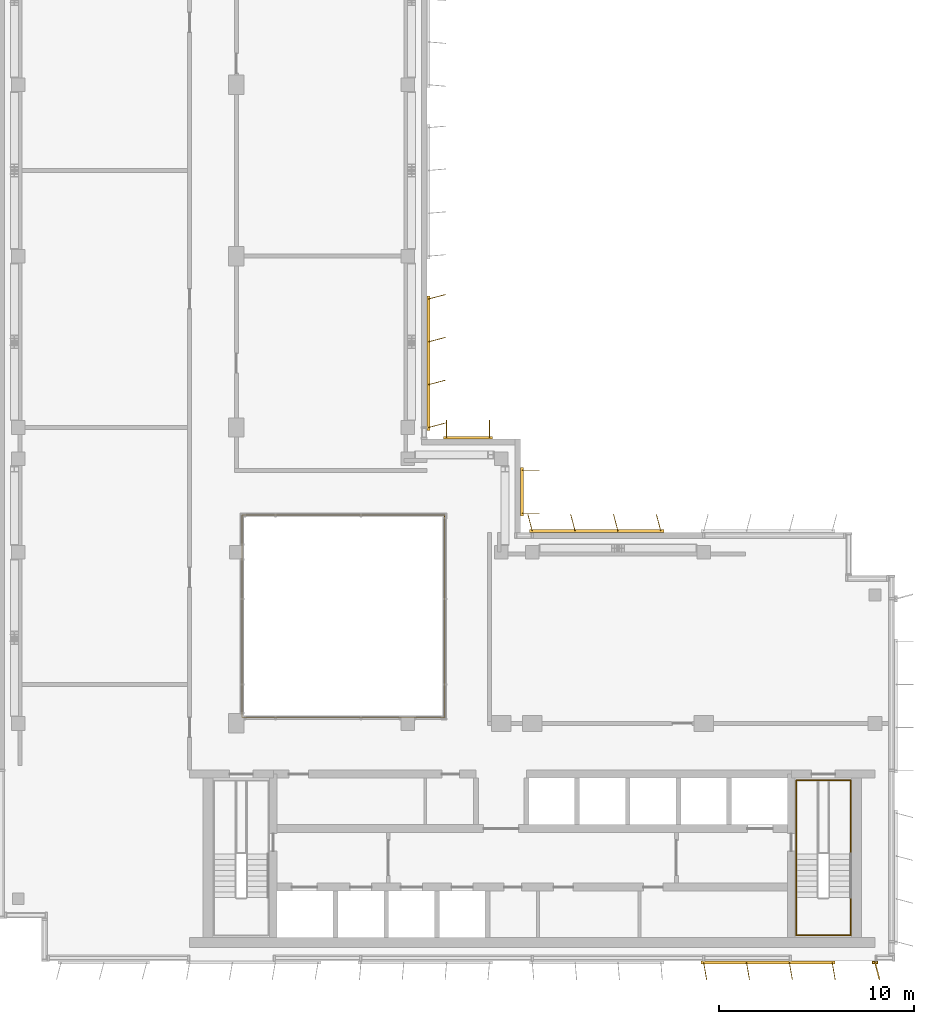
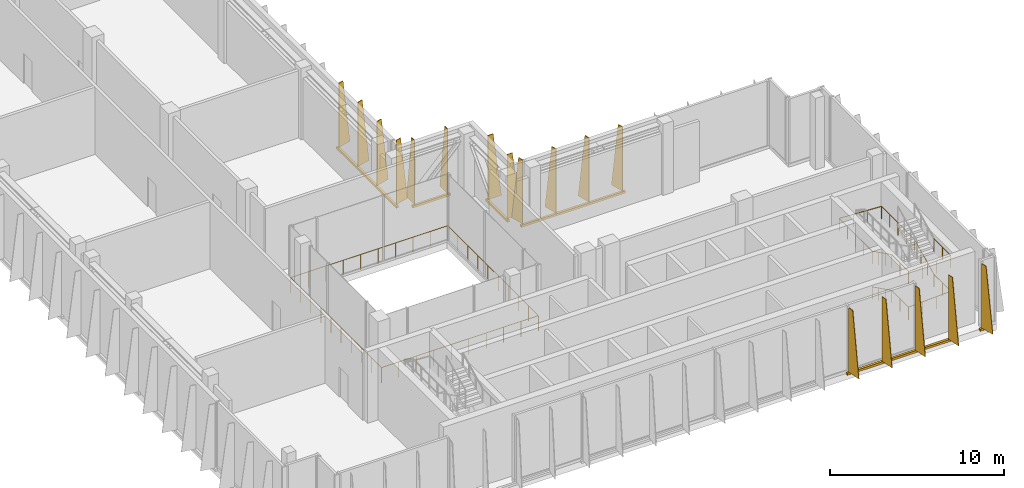
# One storey, part 12 of 14: 6 shading devices, 3 railings.
"""IFC4 building model written with IfcOpenShell, lengths in metres."""

from ifc_helpers import new_model, si_unit, direction, frame, origin, origin_2d, place, context, subcontext, project, spatial, polyline, rectangle, circle, outline, extrude, source, transform, mapped, material, layer, layer_set, type_object, element, save


model = new_model("IFC4")

# Units and contexts
model_context = context("Model", 3, precision=1e-05, world=origin(), true_north=direction((0.0, 1.0)))
body_context = subcontext(model_context, "Body", "Model", "MODEL_VIEW")
ifc_project = project(units=[si_unit("LENGTHUNIT", "METRE"), si_unit("AREAUNIT", "SQUARE_METRE"), si_unit("VOLUMEUNIT", "CUBIC_METRE"), si_unit("PLANEANGLEUNIT", "RADIAN"), si_unit("MASSUNIT", "GRAM", prefix="KILO")], contexts=[model_context])

# Site, building, storey
site_placement = place(None, origin())
site = spatial("IfcSite", under=ifc_project, at=site_placement, CompositionType="ELEMENT")
building_placement = place(site_placement, origin())
building = spatial("IfcBuilding", under=site, at=building_placement, Name="Kemantara Hotel Tower", CompositionType="ELEMENT")
storey_placement = place(building_placement, frame((0.0, 0.0, 309.199951171875)))
storey = spatial("IfcBuildingStorey", under=building, at=storey_placement, Name="L78", CompositionType="ELEMENT", Elevation=309.199951171875)

# Railings
ifc_material_1 = material(Name="Stainless steel balustrade", Category="steel")
railing_type_1 = type_object("IfcRailingType", Name="STAINLESS STEEL GUARD 1100", PredefinedType="GUARDRAIL", material=ifc_material_1)
railing_1_placement = place(storey_placement, frame((12.5, 12.5, 0.0)))
element("IfcRailing", 1, at=railing_1_placement, inside=storey, type_object=railing_type_1, Name="ATRIUM GUARD", PredefinedType="GUARDRAIL", context=body_context, shape_type="SweptSolid", body=[
    extrude(circle(Radius=0.02392578125, at=origin_2d()), frame((0.0, 0.0, 1.076171875), z_axis=(1.0, 0.0, 0.0), x_axis=(0.0, 1.0, 0.0)), (0.0, 0.0, 1.0), 10.39990234375),
    extrude(circle(Radius=0.02392578125, at=origin_2d()), frame((10.39990234375, 0.0, 1.076171875), z_axis=(0.0, 1.0, 0.0), x_axis=(-1.0, 0.0, 0.0)), (0.0, 0.0, 1.0), 10.39990234375),
    extrude(circle(Radius=0.02392578125, at=origin_2d()), frame((10.39990234375, 10.39990234375, 1.076171875), z_axis=(-1.0, 0.0, 0.0), x_axis=(0.0, -1.0, 0.0)), (0.0, 0.0, 1.0), 10.39990234375),
    extrude(circle(Radius=0.02392578125, at=origin_2d()), frame((0.0, 10.39990234375, 1.076171875), z_axis=(0.0, -1.0, 0.0), x_axis=(1.0, 0.0, 0.0)), (0.0, 0.0, 1.0), 10.39990234375),
    extrude(circle(Radius=0.02099609375, at=origin_2d()), origin(), (0.0, 0.0, 1.0), 1.052001953125),
    extrude(circle(Radius=0.02099609375, at=origin_2d()), frame((1.155517578125, 0.0, 0.0)), (0.0, 0.0, 1.0), 1.052001953125),
    extrude(circle(Radius=0.02099609375, at=origin_2d()), frame((2.31103515625, 0.0, 0.0)), (0.0, 0.0, 1.0), 1.052001953125),
    extrude(circle(Radius=0.02099609375, at=origin_2d()), frame((3.466552734375, 0.0, 0.0)), (0.0, 0.0, 1.0), 1.052001953125),
    extrude(circle(Radius=0.02099609375, at=origin_2d()), frame((4.6220703125, 0.0, 0.0)), (0.0, 0.0, 1.0), 1.052001953125),
    extrude(circle(Radius=0.02099609375, at=origin_2d()), frame((5.77783203125, 0.0, 0.0)), (0.0, 0.0, 1.0), 1.052001953125),
    extrude(circle(Radius=0.02099609375, at=origin_2d()), frame((6.933349609375, 0.0, 0.0)), (0.0, 0.0, 1.0), 1.052001953125),
    extrude(circle(Radius=0.02099609375, at=origin_2d()), frame((8.0888671875, 0.0, 0.0)), (0.0, 0.0, 1.0), 1.052001953125),
    extrude(circle(Radius=0.02099609375, at=origin_2d()), frame((9.244384765625, 0.0, 0.0)), (0.0, 0.0, 1.0), 1.052001953125),
    extrude(circle(Radius=0.02099609375, at=origin_2d()), frame((10.39990234375, 0.0, 0.0)), (0.0, 0.0, 1.0), 1.052001953125),
    extrude(circle(Radius=0.02099609375, at=origin_2d()), frame((10.39990234375, 1.155517578125, 0.0)), (0.0, 0.0, 1.0), 1.052001953125),
    extrude(circle(Radius=0.02099609375, at=origin_2d()), frame((10.39990234375, 2.31103515625, 0.0)), (0.0, 0.0, 1.0), 1.052001953125),
    extrude(circle(Radius=0.02099609375, at=origin_2d()), frame((10.39990234375, 3.466552734375, 0.0)), (0.0, 0.0, 1.0), 1.052001953125),
    extrude(circle(Radius=0.02099609375, at=origin_2d()), frame((10.39990234375, 4.6220703125, 0.0)), (0.0, 0.0, 1.0), 1.052001953125),
    extrude(circle(Radius=0.02099609375, at=origin_2d()), frame((10.39990234375, 5.77783203125, 0.0)), (0.0, 0.0, 1.0), 1.052001953125),
    extrude(circle(Radius=0.02099609375, at=origin_2d()), frame((10.39990234375, 6.933349609375, 0.0)), (0.0, 0.0, 1.0), 1.052001953125),
    extrude(circle(Radius=0.02099609375, at=origin_2d()), frame((10.39990234375, 8.0888671875, 0.0)), (0.0, 0.0, 1.0), 1.052001953125),
    extrude(circle(Radius=0.02099609375, at=origin_2d()), frame((10.39990234375, 9.244384765625, 0.0)), (0.0, 0.0, 1.0), 1.052001953125),
    extrude(circle(Radius=0.02099609375, at=origin_2d()), frame((10.39990234375, 10.39990234375, 0.0)), (0.0, 0.0, 1.0), 1.052001953125),
    extrude(circle(Radius=0.02099609375, at=origin_2d()), frame((9.244384765625, 10.39990234375, 0.0)), (0.0, 0.0, 1.0), 1.052001953125),
    extrude(circle(Radius=0.02099609375, at=origin_2d()), frame((8.0888671875, 10.39990234375, 0.0)), (0.0, 0.0, 1.0), 1.052001953125),
    extrude(circle(Radius=0.02099609375, at=origin_2d()), frame((6.933349609375, 10.39990234375, 0.0)), (0.0, 0.0, 1.0), 1.052001953125),
    extrude(circle(Radius=0.02099609375, at=origin_2d()), frame((5.77783203125, 10.39990234375, 0.0)), (0.0, 0.0, 1.0), 1.052001953125),
    extrude(circle(Radius=0.02099609375, at=origin_2d()), frame((4.6220703125, 10.39990234375, 0.0)), (0.0, 0.0, 1.0), 1.052001953125),
    extrude(circle(Radius=0.02099609375, at=origin_2d()), frame((3.466552734375, 10.39990234375, 0.0)), (0.0, 0.0, 1.0), 1.052001953125),
    extrude(circle(Radius=0.02099609375, at=origin_2d()), frame((2.31103515625, 10.39990234375, 0.0)), (0.0, 0.0, 1.0), 1.052001953125),
    extrude(circle(Radius=0.02099609375, at=origin_2d()), frame((1.155517578125, 10.39990234375, 0.0)), (0.0, 0.0, 1.0), 1.052001953125),
    extrude(circle(Radius=0.02099609375, at=origin_2d()), frame((0.0, 10.39990234375, 0.0)), (0.0, 0.0, 1.0), 1.052001953125),
    extrude(circle(Radius=0.02099609375, at=origin_2d()), frame((0.0, 9.244384765625, 0.0)), (0.0, 0.0, 1.0), 1.052001953125),
    extrude(circle(Radius=0.02099609375, at=origin_2d()), frame((0.0, 8.0888671875, 0.0)), (0.0, 0.0, 1.0), 1.052001953125),
    extrude(circle(Radius=0.02099609375, at=origin_2d()), frame((0.0, 6.933349609375, 0.0)), (0.0, 0.0, 1.0), 1.052001953125),
    extrude(circle(Radius=0.02099609375, at=origin_2d()), frame((0.0, 5.77783203125, 0.0)), (0.0, 0.0, 1.0), 1.052001953125),
    extrude(circle(Radius=0.02099609375, at=origin_2d()), frame((0.0, 4.6220703125, 0.0)), (0.0, 0.0, 1.0), 1.052001953125),
    extrude(circle(Radius=0.02099609375, at=origin_2d()), frame((0.0, 3.466552734375, 0.0)), (0.0, 0.0, 1.0), 1.052001953125),
    extrude(circle(Radius=0.02099609375, at=origin_2d()), frame((0.0, 2.31103515625, 0.0)), (0.0, 0.0, 1.0), 1.052001953125),
    extrude(circle(Radius=0.02099609375, at=origin_2d()), frame((0.0, 1.155517578125, 0.0)), (0.0, 0.0, 1.0), 1.052001953125),
])
railing_type_2 = type_object("IfcRailingType", Name="Stair handrail 900 mm", PredefinedType="HANDRAIL", material=ifc_material_1)
railing_2_placement = place(storey_placement, frame((40.949951171875, 5.5, 0.138916015625)))
element("IfcRailing", 2, at=railing_2_placement, inside=storey, type_object=railing_type_2, Name="L78 ST2 stair handrail 1", PredefinedType="HANDRAIL", context=body_context, shape_type="SweptSolid", body=[
    extrude(circle(Radius=0.02392578125, at=origin_2d()), frame((0.0, 0.0, 0.8759765625), z_axis=(0.0, -0.895848192791, 0.444360231651), x_axis=(1.0, 0.0, 0.0)), (0.0, 0.0, 1.0), 2.50048828125),
    extrude(circle(Radius=0.02392578125, at=origin_2d()), frame((0.0, -2.239990234375, 1.98681640625), z_axis=(0.0, -1.0, 0.0), x_axis=(1.0, 0.0, 0.0)), (0.0, 0.0, 1.0), 1.93994140625),
    extrude(circle(Radius=0.02392578125, at=origin_2d()), frame((0.0, -4.179931640625, 1.98681640625), z_axis=(0.998771592041, 0.0, 0.049551053786), x_axis=(0.0, 1.0, 0.0)), (0.0, 0.0, 1.0), 2.803466796875),
    extrude(circle(Radius=0.02392578125, at=origin_2d()), frame((2.800048828125, -4.179931640625, 2.1259765625), z_axis=(0.0, 1.0, 0.0), x_axis=(-1.0, 0.0, 0.0)), (0.0, 0.0, 1.0), 1.93994140625),
    extrude(circle(Radius=0.02392578125, at=origin_2d()), frame((2.800048828125, -2.239990234375, 2.1259765625), z_axis=(0.0, 0.895848192791, 0.444360231651), x_axis=(-1.0, 0.0, 0.0)), (0.0, 0.0, 1.0), 2.50048828125),
    extrude(circle(Radius=0.02392578125, at=origin_2d()), frame((2.800048828125, 0.0, 3.23681640625), z_axis=(0.0, 1.0, 0.0), x_axis=(-1.0, 0.0, 0.0)), (0.0, 0.0, 1.0), 3.780029296875),
    extrude(circle(Radius=0.02099609375, at=origin_2d()), origin(), (0.0, 0.0, 1.0), 0.851806640625),
    extrude(circle(Radius=0.02099609375, at=origin_2d()), frame((0.0, -0.74658203125, 0.370361328125)), (0.0, 0.0, 1.0), 0.851806640625),
    extrude(circle(Radius=0.02099609375, at=origin_2d()), frame((0.0, -1.493408203125, 0.74072265625)), (0.0, 0.0, 1.0), 0.851806640625),
    extrude(circle(Radius=0.02099609375, at=origin_2d()), frame((0.0, -2.239990234375, 1.111083984375)), (0.0, 0.0, 1.0), 0.851806640625),
    extrude(circle(Radius=0.02099609375, at=origin_2d()), frame((0.0, -3.2099609375, 1.111083984375)), (0.0, 0.0, 1.0), 0.851806640625),
    extrude(circle(Radius=0.02099609375, at=origin_2d()), frame((0.0, -4.179931640625, 1.111083984375)), (0.0, 0.0, 1.0), 0.851806640625),
    extrude(circle(Radius=0.02099609375, at=origin_2d()), frame((0.933349609375, -4.179931640625, 1.157470703125)), (0.0, 0.0, 1.0), 0.851806640625),
    extrude(circle(Radius=0.02099609375, at=origin_2d()), frame((1.86669921875, -4.179931640625, 1.20361328125)), (0.0, 0.0, 1.0), 0.851806640625),
    extrude(circle(Radius=0.02099609375, at=origin_2d()), frame((2.800048828125, -4.179931640625, 1.25)), (0.0, 0.0, 1.0), 0.851806640625),
    extrude(circle(Radius=0.02099609375, at=origin_2d()), frame((2.800048828125, -3.2099609375, 1.25)), (0.0, 0.0, 1.0), 0.851806640625),
    extrude(circle(Radius=0.02099609375, at=origin_2d()), frame((2.800048828125, -2.239990234375, 1.25)), (0.0, 0.0, 1.0), 0.851806640625),
    extrude(circle(Radius=0.02099609375, at=origin_2d()), frame((2.800048828125, -1.493408203125, 1.620361328125)), (0.0, 0.0, 1.0), 0.851806640625),
    extrude(circle(Radius=0.02099609375, at=origin_2d()), frame((2.800048828125, -0.74658203125, 1.99072265625)), (0.0, 0.0, 1.0), 0.851806640625),
    extrude(circle(Radius=0.02099609375, at=origin_2d()), frame((2.800048828125, 0.0, 2.361083984375)), (0.0, 0.0, 1.0), 0.851806640625),
    extrude(circle(Radius=0.02099609375, at=origin_2d()), frame((2.800048828125, 0.945068359375, 2.361083984375)), (0.0, 0.0, 1.0), 0.851806640625),
    extrude(circle(Radius=0.02099609375, at=origin_2d()), frame((2.800048828125, 1.89013671875, 2.361083984375)), (0.0, 0.0, 1.0), 0.851806640625),
    extrude(circle(Radius=0.02099609375, at=origin_2d()), frame((2.800048828125, 2.8349609375, 2.361083984375)), (0.0, 0.0, 1.0), 0.851806640625),
    extrude(circle(Radius=0.02099609375, at=origin_2d()), frame((2.800048828125, 3.780029296875, 2.361083984375)), (0.0, 0.0, 1.0), 0.851806640625),
])
railing_3_placement = place(storey_placement, frame((43.75, 9.280029296875, 2.5)))
element("IfcRailing", 3, at=railing_3_placement, inside=storey, type_object=railing_type_2, Name="L78 ST2 stair handrail 2", PredefinedType="HANDRAIL", context=body_context, shape_type="SweptSolid", body=[
    extrude(circle(Radius=0.02392578125, at=origin_2d()), frame((0.0, 0.0, 0.8759765625), z_axis=(-0.998771592041, 0.0, 0.049551053786), x_axis=(0.0, -1.0, 0.0)), (0.0, 0.0, 1.0), 2.803466796875),
    extrude(circle(Radius=0.02392578125, at=origin_2d()), frame((-2.800048828125, 0.0, 1.0146484375), z_axis=(0.0, -1.0, 0.0), x_axis=(1.0, 0.0, 0.0)), (0.0, 0.0, 1.0), 3.780029296875),
    extrude(circle(Radius=0.02392578125, at=origin_2d()), frame((-2.800048828125, -3.780029296875, 1.0146484375), z_axis=(0.0, -0.895848192791, 0.444360231651), x_axis=(1.0, 0.0, 0.0)), (0.0, 0.0, 1.0), 2.50048828125),
    extrude(circle(Radius=0.02392578125, at=origin_2d()), frame((-2.800048828125, -6.02001953125, 2.1259765625), z_axis=(0.0, -1.0, 0.0), x_axis=(1.0, 0.0, 0.0)), (0.0, 0.0, 1.0), 1.93994140625),
    extrude(circle(Radius=0.02392578125, at=origin_2d()), frame((-2.800048828125, -7.9599609375, 2.1259765625), z_axis=(0.998771592041, 0.0, 0.049551053786), x_axis=(0.0, 1.0, 0.0)), (0.0, 0.0, 1.0), 2.803466796875),
    extrude(circle(Radius=0.02392578125, at=origin_2d()), frame((0.0, -7.9599609375, 2.2646484375), z_axis=(0.0, 1.0, 0.0), x_axis=(-1.0, 0.0, 0.0)), (0.0, 0.0, 1.0), 1.93994140625),
    extrude(circle(Radius=0.02099609375, at=origin_2d()), origin(), (0.0, 0.0, 1.0), 0.851806640625),
    extrude(circle(Radius=0.02099609375, at=origin_2d()), frame((-0.933349609375, 0.0, 0.04638671875)), (0.0, 0.0, 1.0), 0.851806640625),
    extrude(circle(Radius=0.02099609375, at=origin_2d()), frame((-1.86669921875, 0.0, 0.092529296875)), (0.0, 0.0, 1.0), 0.851806640625),
    extrude(circle(Radius=0.02099609375, at=origin_2d()), frame((-2.800048828125, 0.0, 0.138916015625)), (0.0, 0.0, 1.0), 0.851806640625),
    extrude(circle(Radius=0.02099609375, at=origin_2d()), frame((-2.800048828125, -0.945068359375, 0.138916015625)), (0.0, 0.0, 1.0), 0.851806640625),
    extrude(circle(Radius=0.02099609375, at=origin_2d()), frame((-2.800048828125, -1.89013671875, 0.138916015625)), (0.0, 0.0, 1.0), 0.851806640625),
    extrude(circle(Radius=0.02099609375, at=origin_2d()), frame((-2.800048828125, -2.8349609375, 0.138916015625)), (0.0, 0.0, 1.0), 0.851806640625),
    extrude(circle(Radius=0.02099609375, at=origin_2d()), frame((-2.800048828125, -3.780029296875, 0.138916015625)), (0.0, 0.0, 1.0), 0.851806640625),
    extrude(circle(Radius=0.02099609375, at=origin_2d()), frame((-2.800048828125, -4.526611328125, 0.50927734375)), (0.0, 0.0, 1.0), 0.851806640625),
    extrude(circle(Radius=0.02099609375, at=origin_2d()), frame((-2.800048828125, -5.2734375, 0.879638671875)), (0.0, 0.0, 1.0), 0.851806640625),
    extrude(circle(Radius=0.02099609375, at=origin_2d()), frame((-2.800048828125, -6.02001953125, 1.25)), (0.0, 0.0, 1.0), 0.851806640625),
    extrude(circle(Radius=0.02099609375, at=origin_2d()), frame((-2.800048828125, -6.989990234375, 1.25)), (0.0, 0.0, 1.0), 0.851806640625),
    extrude(circle(Radius=0.02099609375, at=origin_2d()), frame((-2.800048828125, -7.9599609375, 1.25)), (0.0, 0.0, 1.0), 0.851806640625),
    extrude(circle(Radius=0.02099609375, at=origin_2d()), frame((-1.86669921875, -7.9599609375, 1.29638671875)), (0.0, 0.0, 1.0), 0.851806640625),
    extrude(circle(Radius=0.02099609375, at=origin_2d()), frame((-0.933349609375, -7.9599609375, 1.342529296875)), (0.0, 0.0, 1.0), 0.851806640625),
    extrude(circle(Radius=0.02099609375, at=origin_2d()), frame((0.0, -7.9599609375, 1.388916015625)), (0.0, 0.0, 1.0), 0.851806640625),
    extrude(circle(Radius=0.02099609375, at=origin_2d()), frame((0.0, -6.989990234375, 1.388916015625)), (0.0, 0.0, 1.0), 0.851806640625),
    extrude(circle(Radius=0.02099609375, at=origin_2d()), frame((0.0, -6.02001953125, 1.388916015625)), (0.0, 0.0, 1.0), 0.851806640625),
])

# Shading devices
ifc_material_2 = material(Name="Perforated aluminium plate 4 mm bronze anodised", Category="aluminium")
ifc_layer_1 = layer(ifc_material_2, 0.0400390625)
ifc_layer_set_1 = layer_set([ifc_layer_1], Name="Perforated aluminium plate 4 mm bronze anodised")
shading_device_type_1 = type_object("IfcShadingDeviceType", Name="SCREEN FIN CASSETTE, 4 BLADES AT +10.0 DEG, 4500 HIGH", PredefinedType="USERDEFINED", material=ifc_layer_set_1)
shared_shape_1 = source(origin(), body_context, "Body", "SweptSolid", [
    extrude(rectangle(XDim=6.89990234375, YDim=0.14990234375, at=origin_2d()), frame((3.300048828125, -0.074951171875, -0.14990234375), z_axis=(0.0, 0.0, 1.0), x_axis=(1.0, 0.0, 0.0)), (0.0, 0.0, 1.0), 0.14990234375),
    extrude(outline(polyline([(0.0, 0.0), (0.89990234375, 0.0), (0.35009765625, 4.5), (0.0, 4.5), (0.0, 0.0)])), frame((0.019775390625, -0.071533203125, 0.0), z_axis=(-0.985389793052, -0.170314285219, 0.0), x_axis=(0.170314285219, -0.985389793052, 0.0)), (0.0, 0.0, 1.0), 0.0400390625),
    extrude(outline(polyline([(0.0, 0.0), (0.89990234375, 0.0), (0.35009765625, 4.5), (0.0, 4.5), (0.0, 0.0)])), frame((2.2197265625, -0.071533203125, 0.0), z_axis=(-0.98521175482, -0.171341174751, 0.0), x_axis=(0.171341174751, -0.98521175482, 0.0)), (0.0, 0.0, 1.0), 0.039794921875),
    extrude(outline(polyline([(0.0, 0.0), (0.89990234375, 0.0), (0.35009765625, 4.5), (0.0, 4.5), (0.0, 0.0)])), frame((4.419677734375, -0.071533203125, 0.0), z_axis=(-0.98521175482, -0.171341174751, 0.0), x_axis=(0.171341174751, -0.98521175482, 0.0)), (0.0, 0.0, 1.0), 0.039794921875),
    extrude(outline(polyline([(0.0, 0.0), (0.89990234375, 0.0), (0.35009765625, 4.5), (0.0, 4.5), (0.0, 0.0)])), frame((6.61962890625, -0.071533203125, 0.0), z_axis=(-0.98521175482, -0.171341174751, 0.0), x_axis=(0.171341174751, -0.98521175482, 0.0)), (0.0, 0.0, 1.0), 0.039794921875),
])
shading_device_1_placement = place(storey_placement, frame((36.199951171875, 0.0, 0.10009765625), z_axis=(0.0, 0.0, 1.0), x_axis=(1.0, 0.0, 0.0)))
element("IfcShadingDevice", 4, at=shading_device_1_placement, inside=storey, type_object=shading_device_type_1, Name="SCREEN FIN CASSETTE L78 CRN-R08-5", ObjectType="SCREEN FIN", PredefinedType="USERDEFINED", context=body_context, shape_type="MappedRepresentation", body=[
    mapped(shared_shape_1, transform((0.0, 0.0, 0.0))),
])
ifc_layer_2 = layer(ifc_material_2, 0.0400390625)
ifc_layer_set_2 = layer_set([ifc_layer_2], Name="Perforated aluminium plate 4 mm bronze anodised")
shading_device_type_2 = type_object("IfcShadingDeviceType", Name="SCREEN FIN CASSETTE, 4 BLADES AT +15.0 DEG, 4500 HIGH", PredefinedType="USERDEFINED", material=ifc_layer_set_2)
shared_shape_2 = source(origin(), body_context, "Body", "SweptSolid", [
    extrude(rectangle(XDim=6.89990234375, YDim=0.14990234375, at=origin_2d()), frame((3.300048828125, -0.074951171875, -0.14990234375), z_axis=(0.0, 0.0, 1.0), x_axis=(1.0, 0.0, 0.0)), (0.0, 0.0, 1.0), 0.14990234375),
    extrude(outline(polyline([(0.0, 0.0), (0.89990234375, 0.0), (0.35009765625, 4.5), (0.0, 4.5), (0.0, 0.0)])), frame((0.019287109375, -0.06982421875, 0.0), z_axis=(-0.966437683387, -0.256901156343, 0.0), x_axis=(0.256901156343, -0.966437683387, 0.0)), (0.0, 0.0, 1.0), 0.039794921875),
    extrude(outline(polyline([(0.0, 0.0), (0.89990234375, 0.0), (0.35009765625, 4.5), (0.0, 4.5), (0.0, 0.0)])), frame((2.21923828125, -0.06982421875, 0.0), z_axis=(-0.966437683387, -0.256901156343, 0.0), x_axis=(0.256901156343, -0.966437683387, 0.0)), (0.0, 0.0, 1.0), 0.039794921875),
    extrude(outline(polyline([(0.0, 0.0), (0.89990234375, 0.0), (0.35009765625, 4.5), (0.0, 4.5), (0.0, 0.0)])), frame((4.41943359375, -0.06982421875, 0.0), z_axis=(-0.966837822169, -0.255391122837, 0.0), x_axis=(0.255391122837, -0.966837822169, 0.0)), (0.0, 0.0, 1.0), 0.0400390625),
    extrude(outline(polyline([(0.0, 0.0), (0.89990234375, 0.0), (0.35009765625, 4.5), (0.0, 4.5), (0.0, 0.0)])), frame((6.619384765625, -0.06982421875, 0.0), z_axis=(-0.966837822169, -0.255391122837, 0.0), x_axis=(0.255391122837, -0.966837822169, 0.0)), (0.0, 0.0, 1.0), 0.0400390625),
])
for number, where, z_axis, x_axis, name in (
    (5, (34.0, 22.0, 0.10009765625), (0.0, 0.0, 1.0), (-1.0, 0.0, 0.0), "SCREEN FIN CASSETTE L78 CRN-R12-2"),
    (6, (22.0, 27.39990234375, 0.10009765625), (0.0, 0.0, 1.0), (0.0, 1.0, 0.0), "SCREEN FIN CASSETTE L78 CRN-R15-1"),
):
    element("IfcShadingDevice", number, at=place(storey_placement, frame(where, z_axis=z_axis, x_axis=x_axis)), inside=storey, type_object=shading_device_type_2, Name=name, ObjectType="SCREEN FIN", PredefinedType="USERDEFINED", context=body_context, shape_type="MappedRepresentation", body=[
        mapped(shared_shape_2, transform((0.0, 0.0, 0.0))),
    ])
ifc_layer_3 = layer(ifc_material_2, 0.0400390625)
ifc_layer_set_3 = layer_set([ifc_layer_3], Name="Perforated aluminium plate 4 mm bronze anodised")
shading_device_type_3 = type_object("IfcShadingDeviceType", Name="SCREEN FIN CASSETTE, 1 BLADE AT +15.0 DEG, 4500 HIGH", PredefinedType="USERDEFINED", material=ifc_layer_set_3)
shared_shape_3 = source(origin(), body_context, "Body", "SweptSolid", [
    extrude(rectangle(XDim=0.300048828125, YDim=0.14990234375, at=origin_2d()), frame((0.0, -0.074951171875, -0.14990234375), z_axis=(0.0, 0.0, 1.0), x_axis=(1.0, 0.0, 0.0)), (0.0, 0.0, 1.0), 0.14990234375),
    extrude(outline(polyline([(0.0, 0.0), (0.89990234375, 0.0), (0.35009765625, 4.5), (0.0, 4.5), (0.0, 0.0)])), frame((0.019287109375, -0.06982421875, 0.0), z_axis=(-0.966437683387, -0.256901156343, 0.0), x_axis=(0.256901156343, -0.966437683387, 0.0)), (0.0, 0.0, 1.0), 0.039794921875),
])
shading_device_2_placement = place(storey_placement, frame((45.0, 0.0, 0.10009765625), z_axis=(0.0, 0.0, 1.0), x_axis=(1.0, 0.0, 0.0)))
element("IfcShadingDevice", 7, at=shading_device_2_placement, inside=storey, type_object=shading_device_type_3, Name="SCREEN FIN CASSETTE L78 CRN-R08-6", ObjectType="SCREEN FIN", PredefinedType="USERDEFINED", context=body_context, shape_type="MappedRepresentation", body=[
    mapped(shared_shape_3, transform((0.0, 0.0, 0.0))),
])
ifc_layer_4 = layer(ifc_material_2, 0.0400390625)
ifc_layer_set_4 = layer_set([ifc_layer_4], Name="Perforated aluminium plate 4 mm bronze anodised")
shading_device_type_4 = type_object("IfcShadingDeviceType", Name="SCREEN FIN CASSETTE, 2 BLADES AT +0.0 DEG, 4500 HIGH", PredefinedType="USERDEFINED", material=ifc_layer_set_4)
shared_shape_4 = source(origin(), body_context, "Body", "SweptSolid", [
    extrude(rectangle(XDim=2.5, YDim=0.14990234375, at=origin_2d()), frame((1.10009765625, -0.074951171875, -0.14990234375), z_axis=(0.0, 0.0, 1.0), x_axis=(1.0, 0.0, 0.0)), (0.0, 0.0, 1.0), 0.14990234375),
    extrude(outline(polyline([(0.0, 0.0), (0.89990234375, 0.0), (0.35009765625, 4.5), (0.0, 4.5), (0.0, 0.0)])), frame((0.02001953125, -0.074951171875, 0.0), z_axis=(-1.0, 0.0, 0.0), x_axis=(0.0, -1.0, 0.0)), (0.0, 0.0, 1.0), 0.0400390625),
    extrude(outline(polyline([(0.0, 0.0), (0.89990234375, 0.0), (0.35009765625, 4.5), (0.0, 4.5), (0.0, 0.0)])), frame((2.219970703125, -0.074951171875, 0.0), z_axis=(-1.0, 0.0, 0.0), x_axis=(0.0, -1.0, 0.0)), (0.0, 0.0, 1.0), 0.0400390625),
])
for number, where, z_axis, x_axis, name in (
    (8, (26.800048828125, 23.0, 0.10009765625), (0.0, 0.0, 1.0), (0.0, 1.0, 0.0), "SCREEN FIN CASSETTE L78 CRN-R13-1"),
    (9, (25.199951171875, 26.800048828125, 0.10009765625), (0.0, 0.0, 1.0), (-1.0, 0.0, 0.0), "SCREEN FIN CASSETTE L78 CRN-R14-1"),
):
    element("IfcShadingDevice", number, at=place(storey_placement, frame(where, z_axis=z_axis, x_axis=x_axis)), inside=storey, type_object=shading_device_type_4, Name=name, ObjectType="SCREEN FIN", PredefinedType="USERDEFINED", context=body_context, shape_type="MappedRepresentation", body=[
        mapped(shared_shape_4, transform((0.0, 0.0, 0.0))),
    ])

save(model, "model.ifc")
